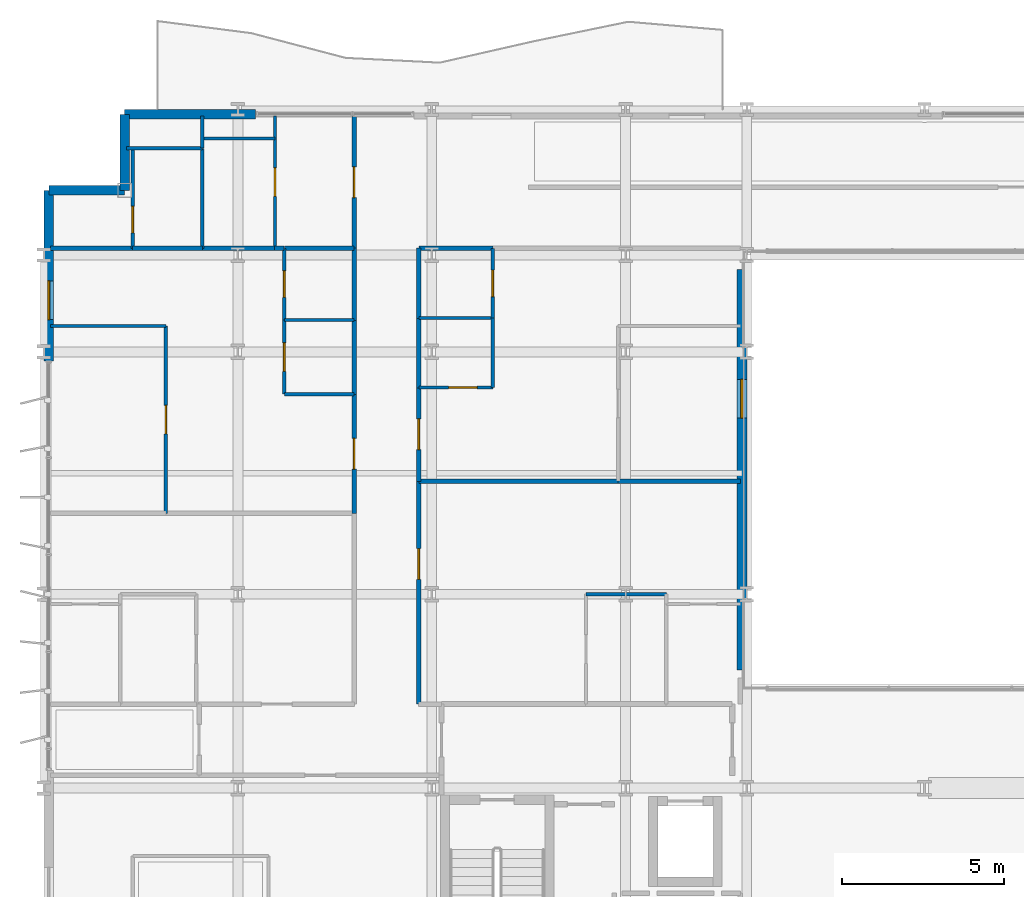
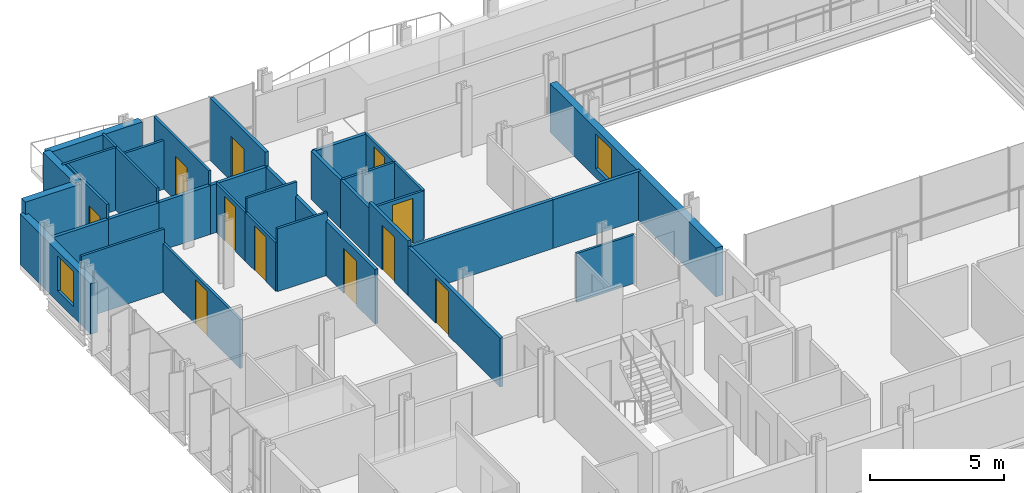
# One storey, part 29 of 38: 38 walls, 11 doors, 2 windows, 13 openings.
"""IFC4 building model written with IfcOpenShell, lengths in metres."""

from ifc_helpers import new_model, si_unit, direction, frame, frame_2d, origin, place, context, subcontext, project, spatial, rectangle, extrude, material, layer, layer_set, type_object, element, fill, save


model = new_model("IFC4")

# Units and contexts
model_context = context("Model", 3, precision=1e-05, world=origin(), true_north=direction((0.0, 1.0)))
body_context = subcontext(model_context, "Body", "Model", "MODEL_VIEW")
ifc_project = project(units=[si_unit("LENGTHUNIT", "METRE"), si_unit("AREAUNIT", "SQUARE_METRE"), si_unit("VOLUMEUNIT", "CUBIC_METRE"), si_unit("PLANEANGLEUNIT", "RADIAN"), si_unit("MASSUNIT", "GRAM", prefix="KILO")], contexts=[model_context])

# Site, building, storey
site_placement = place(None, origin())
site = spatial("IfcSite", under=ifc_project, at=site_placement, CompositionType="ELEMENT")
building_placement = place(site_placement, origin())
building = spatial("IfcBuilding", under=site, at=building_placement, Name="Brevholm Reach", CompositionType="ELEMENT")
storey_placement = place(building_placement, frame((0.0, 0.0, 52.800048828125)))
storey = spatial("IfcBuildingStorey", under=building, at=storey_placement, Name="L14", CompositionType="ELEMENT", Elevation=52.800048828125)

# Walls
ifc_material_1 = material(Name="Concrete C40/50", Category="concrete")
ifc_layer_1 = layer(ifc_material_1, 0.300048828125)
ifc_layer_set_1 = layer_set([ifc_layer_1], Name="Concrete C40/50")
wall_type_1 = type_object("IfcWallType", Name="WAL-EXT-300", PredefinedType="STANDARD", material=ifc_layer_set_1)
for number, where, z_axis, x_axis, name in (
    (1, (2.5, 30.85009765625, 0.0), (0.0, 0.0, 1.0), (0.0, -1.0, 0.0), "L14 Facade Wall WAL-L14-CNW1"),
    (2, (2.5, 28.5, 0.0), (0.0, 0.0, 1.0), (-1.0, 0.0, 0.0), "L14 Facade Wall WAL-L14-CNW2"),
):
    element("IfcWall", number, at=place(storey_placement, frame(where, z_axis=z_axis, x_axis=x_axis)), inside=storey, type_object=wall_type_1, Name=name, PredefinedType="STANDARD", context=body_context, shape_type="SweptSolid", body=[
        extrude(rectangle(XDim=2.35009765625, YDim=0.300048828125, at=frame_2d((1.175048828125, 0.0))), origin(), (0.0, 0.0, 1.0), 2.869873046875),
    ])

# Wall, opening, window
wall_1_placement = place(storey_placement, frame((0.14990234375, 28.5, 0.0), z_axis=(0.0, 0.0, 1.0), x_axis=(0.0, -1.0, 0.0)))
wall_1 = element("IfcWall", 3, at=wall_1_placement, inside=storey, type_object=wall_type_1, Name="L14 Facade Wall WAL-L14-W-N", PredefinedType="STANDARD", context=body_context, shape_type="SweptSolid", body=[
    extrude(rectangle(XDim=5.280029296875, YDim=0.300048828125, at=frame_2d((2.64013671875, 0.0))), origin(), (0.0, 0.0, 1.0), 2.305419921875),
])
opening_1_placement = place(wall_1_placement, frame((2.800048828125, 0.0, 0.486083984375)))
opening_1 = element("IfcOpeningElement", 4, at=opening_1_placement, cuts=wall_1, Name="Opening WN-08", PredefinedType="OPENING", context=body_context, shape_type="SweptSolid", body=[
    extrude(rectangle(XDim=1.199951171875, YDim=1.60009765625, at=frame_2d((0.60009765625, 0.800048828125))), frame((0.0, 0.159912109375, 0.0), z_axis=(0.0, -1.0, 0.0), x_axis=(1.0, 0.0, 0.0)), (0.0, 0.0, 1.0), 0.320068359375),
])
ifc_material_2 = material(Name="Dark Anodised Aluminium and Solar-Control IGU Glass", Category="aluminium")
window_type = type_object("IfcWindowType", Name="WIN-RES-1200", PartitioningType="SINGLE_PANEL", PredefinedType="WINDOW", material=ifc_material_2)
window_1_placement = place(opening_1_placement, origin())
window_1 = element("IfcWindow", 5, at=window_1_placement, inside=storey, type_object=window_type, Name="L14 Window WIN-L14-WN-1", OverallHeight=1.60009765625, OverallWidth=1.199951171875, PartitioningType="SINGLE_PANEL", PredefinedType="WINDOW", context=body_context, shape_type="SweptSolid", body=[
    extrude(rectangle(XDim=1.199951171875, YDim=1.60009765625, at=frame_2d((0.60009765625, 0.800048828125))), frame((0.0, 0.030029296875, 0.0), z_axis=(0.0, -1.0, 0.0), x_axis=(1.0, 0.0, 0.0)), (0.0, 0.0, 1.0), 0.06005859375),
])
fill(opening_1, window_1)

# Wall
wall_2_placement = place(storey_placement, frame((2.5, 30.85009765625, 0.0), z_axis=(0.0, 0.0, 1.0), x_axis=(1.0, 0.0, 0.0)))
element("IfcWall", 6, at=wall_2_placement, inside=storey, type_object=wall_type_1, Name="L14 Facade Wall WAL-L14-NP-W0", PredefinedType="STANDARD", context=body_context, shape_type="SweptSolid", body=[
    extrude(rectangle(XDim=4.050048828125, YDim=0.300048828125, at=frame_2d((2.02490234375, 0.0))), origin(), (0.0, 0.0, 1.0), 2.869873046875),
])

# Wall, opening, window
wall_3_placement = place(storey_placement, frame((21.60009765625, 26.050048828125, 0.0), z_axis=(0.0, 0.0, 1.0), x_axis=(0.0, -1.0, 0.0)))
wall_3 = element("IfcWall", 7, at=wall_3_placement, inside=storey, type_object=wall_type_1, Name="L14 Facade Wall WAL-L14-AT-W", PredefinedType="STANDARD", context=body_context, shape_type="SweptSolid", body=[
    extrude(rectangle(XDim=12.400146484375, YDim=0.300048828125, at=frame_2d((6.2001953125, 0.0))), origin(), (0.0, 0.0, 1.0), 2.224853515625),
])
opening_2_placement = place(wall_3_placement, frame((3.39990234375, 0.0, 0.405029296875)))
opening_2 = element("IfcOpeningElement", 8, at=opening_2_placement, cuts=wall_3, Name="Opening WN-08", PredefinedType="OPENING", context=body_context, shape_type="SweptSolid", body=[
    extrude(rectangle(XDim=1.199951171875, YDim=1.60009765625, at=frame_2d((0.60009765625, 0.800048828125))), frame((0.0, 0.159912109375, 0.0), z_axis=(0.0, -1.0, 0.0), x_axis=(1.0, 0.0, 0.0)), (0.0, 0.0, 1.0), 0.320068359375),
])
window_2_placement = place(opening_2_placement, origin())
window_2 = element("IfcWindow", 9, at=window_2_placement, inside=storey, type_object=window_type, Name="L14 Window WIN-L14-AT-W1", OverallHeight=1.60009765625, OverallWidth=1.199951171875, PartitioningType="SINGLE_PANEL", PredefinedType="WINDOW", context=body_context, shape_type="SweptSolid", body=[
    extrude(rectangle(XDim=1.199951171875, YDim=1.60009765625, at=frame_2d((0.60009765625, 0.800048828125))), frame((0.0, 0.030029296875, 0.0), z_axis=(0.0, -1.0, 0.0), x_axis=(1.0, 0.0, 0.0)), (0.0, 0.0, 1.0), 0.06005859375),
])
fill(opening_2, window_2)

# Wall
ifc_material_3 = material(Name="Moisture-Resistant Acoustic Gypsum Stud Partition 100 mm", Category="gypsum")
ifc_layer_2 = layer(ifc_material_3, 0.10009765625)
ifc_layer_set_2 = layer_set([ifc_layer_2], Name="Moisture-Resistant Acoustic Gypsum Stud Partition 100 mm")
wall_type_2 = type_object("IfcWallType", Name="WAL-PRT-100", PredefinedType="PARTITIONING", material=ifc_layer_set_2)
wall_4_placement = place(storey_placement, frame((7.43798828125, 24.486083984375, 0.0), z_axis=(0.0, 0.0, 1.0), x_axis=(1.0, 0.0, 0.0)))
element("IfcWall", 10, at=wall_4_placement, inside=storey, type_object=wall_type_2, Name="L14 Internal Partition 086", PredefinedType="PARTITIONING", context=body_context, shape_type="SweptSolid", body=[
    extrude(rectangle(XDim=2.157958984375, YDim=0.10009765625, at=frame_2d((1.0791015625, 0.0))), origin(), (0.0, 0.0, 1.0), 2.869873046875),
])

# Wall, opening, door
wall_5_placement = place(storey_placement, frame((7.43798828125, 24.486083984375, 0.0), z_axis=(0.0, 0.0, 1.0), x_axis=(0.0, 1.0, 0.0)))
wall_5 = element("IfcWall", 11, at=wall_5_placement, inside=storey, type_object=wall_type_2, Name="L14 Internal Partition 087", PredefinedType="PARTITIONING", context=body_context, shape_type="SweptSolid", body=[
    extrude(rectangle(XDim=2.2138671875, YDim=0.10009765625, at=frame_2d((1.10693359375, 0.0))), origin(), (0.0, 0.0, 1.0), 2.224853515625),
])
opening_3_placement = place(wall_5_placement, frame((0.697021484375, 0.0, 0.0)))
opening_3 = element("IfcOpeningElement", 12, at=opening_3_placement, cuts=wall_5, Name="Opening ID-03", PredefinedType="OPENING", context=body_context, shape_type="SweptSolid", body=[
    extrude(rectangle(XDim=0.820068359375, YDim=2.02001953125, at=frame_2d((0.41015625, 1.010009765625))), frame((0.0, 0.06005859375, 0.0), z_axis=(0.0, -1.0, 0.0), x_axis=(1.0, 0.0, 0.0)), (0.0, 0.0, 1.0), 0.1201171875),
])
ifc_material_4 = material(Name="Moisture-Resistant Painted Timber Internal Bathroom Door", Category="wood")
door_type_1 = type_object("IfcDoorType", Name="DOR-BATH-820", OperationType="NOTDEFINED", PredefinedType="DOOR", material=ifc_material_4)
door_1_placement = place(opening_3_placement, origin())
door_1 = element("IfcDoor", 13, at=door_1_placement, inside=storey, type_object=door_type_1, Name="L14 Internal Door 035", OperationType="SINGLE_SWING_LEFT", OverallHeight=2.02001953125, OverallWidth=0.820068359375, PredefinedType="DOOR", context=body_context, shape_type="SweptSolid", body=[
    extrude(rectangle(XDim=0.820068359375, YDim=2.02001953125, at=frame_2d((0.41015625, 1.010009765625))), frame((0.0, 0.02490234375, 0.0), z_axis=(0.0, -1.0, 0.0), x_axis=(1.0, 0.0, 0.0)), (0.0, 0.0, 1.0), 0.050048828125),
])
fill(opening_3, door_1)

# Wall
wall_6_placement = place(storey_placement, frame((7.43798828125, 22.18994140625, 0.0), z_axis=(0.0, 0.0, 1.0), x_axis=(1.0, 0.0, 0.0)))
element("IfcWall", 14, at=wall_6_placement, inside=storey, type_object=wall_type_2, Name="L14 Internal Partition 089", PredefinedType="PARTITIONING", context=body_context, shape_type="SweptSolid", body=[
    extrude(rectangle(XDim=2.157958984375, YDim=0.10009765625, at=frame_2d((1.0791015625, 0.0))), origin(), (0.0, 0.0, 1.0), 2.869873046875),
])

# Wall, opening, door
wall_7_placement = place(storey_placement, frame((7.43798828125, 22.18994140625, 0.0), z_axis=(0.0, 0.0, 1.0), x_axis=(0.0, 1.0, 0.0)))
wall_7 = element("IfcWall", 15, at=wall_7_placement, inside=storey, type_object=wall_type_2, Name="L14 Internal Partition 090", PredefinedType="PARTITIONING", context=body_context, shape_type="SweptSolid", body=[
    extrude(rectangle(XDim=2.2919921875, YDim=0.10009765625, at=frame_2d((1.14599609375, 0.0))), origin(), (0.0, 0.0, 1.0), 2.224853515625),
])
opening_4_placement = place(wall_7_placement, frame((0.7060546875, 0.0, 0.0)))
opening_4 = element("IfcOpeningElement", 16, at=opening_4_placement, cuts=wall_7, Name="Opening ID-01", PredefinedType="OPENING", context=body_context, shape_type="SweptSolid", body=[
    extrude(rectangle(XDim=0.8798828125, YDim=2.0400390625, at=frame_2d((0.43994140625, 1.02001953125))), frame((0.0, 0.06005859375, 0.0), z_axis=(0.0, -1.0, 0.0), x_axis=(1.0, 0.0, 0.0)), (0.0, 0.0, 1.0), 0.1201171875),
])
ifc_material_5 = material(Name="Lacquered Ash Solid-Core Acoustic Internal Door", Category="timber")
door_type_2 = type_object("IfcDoorType", Name="DOR-INT-880", OperationType="NOTDEFINED", PredefinedType="DOOR", material=ifc_material_5)
door_2_placement = place(opening_4_placement, origin())
door_2 = element("IfcDoor", 17, at=door_2_placement, inside=storey, type_object=door_type_2, Name="L14 Internal Door 036", OperationType="SINGLE_SWING_RIGHT", OverallHeight=2.0400390625, OverallWidth=0.8798828125, PredefinedType="DOOR", context=body_context, shape_type="SweptSolid", body=[
    extrude(rectangle(XDim=0.8798828125, YDim=2.0400390625, at=frame_2d((0.43994140625, 1.02001953125))), frame((0.0, 0.02490234375, 0.0), z_axis=(0.0, -1.0, 0.0), x_axis=(1.0, 0.0, 0.0)), (0.0, 0.0, 1.0), 0.050048828125),
])
fill(opening_4, door_2)

wall_8_placement = place(storey_placement, frame((3.77197265625, 18.50390625, 0.0), z_axis=(0.0, 0.0, 1.0), x_axis=(0.0, 1.0, 0.0)))
wall_8 = element("IfcWall", 18, at=wall_8_placement, inside=storey, type_object=wall_type_2, Name="L14 Internal Partition 091", PredefinedType="PARTITIONING", context=body_context, shape_type="SweptSolid", body=[
    extrude(rectangle(XDim=5.796142578125, YDim=0.10009765625, at=frame_2d((2.89794921875, 0.0))), origin(), (0.0, 0.0, 1.0), 2.224853515625),
])
opening_5_placement = place(wall_8_placement, frame((2.4580078125, 0.0, 0.0)))
opening_5 = element("IfcOpeningElement", 19, at=opening_5_placement, cuts=wall_8, Name="Opening ID-01", PredefinedType="OPENING", context=body_context, shape_type="SweptSolid", body=[
    extrude(rectangle(XDim=0.8798828125, YDim=2.0400390625, at=frame_2d((0.43994140625, 1.02001953125))), frame((0.0, 0.06005859375, 0.0), z_axis=(0.0, -1.0, 0.0), x_axis=(1.0, 0.0, 0.0)), (0.0, 0.0, 1.0), 0.1201171875),
])
door_3_placement = place(opening_5_placement, origin())
door_3 = element("IfcDoor", 20, at=door_3_placement, inside=storey, type_object=door_type_2, Name="L14 Internal Door 037", OperationType="SINGLE_SWING_LEFT", OverallHeight=2.0400390625, OverallWidth=0.8798828125, PredefinedType="DOOR", context=body_context, shape_type="SweptSolid", body=[
    extrude(rectangle(XDim=0.8798828125, YDim=2.0400390625, at=frame_2d((0.43994140625, 1.02001953125))), frame((0.0, 0.02490234375, 0.0), z_axis=(0.0, -1.0, 0.0), x_axis=(1.0, 0.0, 0.0)), (0.0, 0.0, 1.0), 0.050048828125),
])
fill(opening_5, door_3)

# Walls
wall_9_placement = place(storey_placement, frame((0.199951171875, 24.300048828125, 0.0), z_axis=(0.0, 0.0, 1.0), x_axis=(1.0, 0.0, 0.0)))
element("IfcWall", 21, at=wall_9_placement, inside=storey, type_object=wall_type_2, Name="L14 Internal Partition 092", PredefinedType="PARTITIONING", context=body_context, shape_type="SweptSolid", body=[
    extrude(rectangle(XDim=3.572021484375, YDim=0.10009765625, at=frame_2d((1.7861328125, 0.0))), origin(), (0.0, 0.0, 1.0), 2.869873046875),
])
wall_10_placement = place(storey_placement, frame((16.77294921875, 16.0, 0.0), z_axis=(0.0, 0.0, 1.0), x_axis=(1.0, 0.0, 0.0)))
element("IfcWall", 22, at=wall_10_placement, inside=storey, type_object=wall_type_2, Name="L14 Internal Partition 100", PredefinedType="PARTITIONING", context=body_context, shape_type="SweptSolid", body=[
    extrude(rectangle(XDim=2.488037109375, YDim=0.10009765625, at=frame_2d((1.244140625, 0.0))), origin(), (0.0, 0.0, 1.0), 2.224853515625),
])
wall_11_placement = place(storey_placement, frame((11.60400390625, 24.550048828125, 0.0), z_axis=(0.0, 0.0, 1.0), x_axis=(1.0, 0.0, 0.0)))
element("IfcWall", 23, at=wall_11_placement, inside=storey, type_object=wall_type_2, Name="L14 Internal Partition 104", PredefinedType="PARTITIONING", context=body_context, shape_type="SweptSolid", body=[
    extrude(rectangle(XDim=2.284912109375, YDim=0.10009765625, at=frame_2d((1.142578125, 0.0))), origin(), (0.0, 0.0, 1.0), 2.224853515625),
])

# Wall, opening, door
wall_12_placement = place(storey_placement, frame((13.888916015625, 24.550048828125, 0.0), z_axis=(0.0, 0.0, 1.0), x_axis=(0.0, 1.0, 0.0)))
wall_12 = element("IfcWall", 24, at=wall_12_placement, inside=storey, type_object=wall_type_2, Name="L14 Internal Partition 105", PredefinedType="PARTITIONING", context=body_context, shape_type="SweptSolid", body=[
    extrude(rectangle(XDim=2.14599609375, YDim=0.10009765625, at=frame_2d((1.072998046875, 0.0))), origin(), (0.0, 0.0, 1.0), 2.224853515625),
])
opening_6_placement = place(wall_12_placement, frame((0.6630859375, 0.0, 0.0)))
opening_6 = element("IfcOpeningElement", 25, at=opening_6_placement, cuts=wall_12, Name="Opening ID-03", PredefinedType="OPENING", context=body_context, shape_type="SweptSolid", body=[
    extrude(rectangle(XDim=0.820068359375, YDim=2.02001953125, at=frame_2d((0.41015625, 1.010009765625))), frame((0.0, 0.06005859375, 0.0), z_axis=(0.0, -1.0, 0.0), x_axis=(1.0, 0.0, 0.0)), (0.0, 0.0, 1.0), 0.1201171875),
])
door_4_placement = place(opening_6_placement, origin())
door_4 = element("IfcDoor", 26, at=door_4_placement, inside=storey, type_object=door_type_1, Name="L14 Internal Door 040", OperationType="SINGLE_SWING_RIGHT", OverallHeight=2.02001953125, OverallWidth=0.820068359375, PredefinedType="DOOR", context=body_context, shape_type="SweptSolid", body=[
    extrude(rectangle(XDim=0.820068359375, YDim=2.02001953125, at=frame_2d((0.41015625, 1.010009765625))), frame((0.0, 0.02490234375, 0.0), z_axis=(0.0, -1.0, 0.0), x_axis=(1.0, 0.0, 0.0)), (0.0, 0.0, 1.0), 0.050048828125),
])
fill(opening_6, door_4)

wall_13_placement = place(storey_placement, frame((11.60400390625, 22.39990234375, 0.0), z_axis=(0.0, 0.0, 1.0), x_axis=(1.0, 0.0, 0.0)))
wall_13 = element("IfcWall", 27, at=wall_13_placement, inside=storey, type_object=wall_type_2, Name="L14 Internal Partition 106", PredefinedType="PARTITIONING", context=body_context, shape_type="SweptSolid", body=[
    extrude(rectangle(XDim=2.284912109375, YDim=0.10009765625, at=frame_2d((1.142578125, 0.0))), origin(), (0.0, 0.0, 1.0), 2.224853515625),
])
opening_7_placement = place(wall_13_placement, frame((0.922607421875, 0.0, 0.0)))
opening_7 = element("IfcOpeningElement", 28, at=opening_7_placement, cuts=wall_13, Name="Opening ID-01", PredefinedType="OPENING", context=body_context, shape_type="SweptSolid", body=[
    extrude(rectangle(XDim=0.8798828125, YDim=2.0400390625, at=frame_2d((0.43994140625, 1.02001953125))), frame((0.0, 0.06005859375, 0.0), z_axis=(0.0, -1.0, 0.0), x_axis=(1.0, 0.0, 0.0)), (0.0, 0.0, 1.0), 0.1201171875),
])
door_5_placement = place(opening_7_placement, origin())
door_5 = element("IfcDoor", 29, at=door_5_placement, inside=storey, type_object=door_type_2, Name="L14 Internal Door 041", OperationType="SINGLE_SWING_LEFT", OverallHeight=2.0400390625, OverallWidth=0.8798828125, PredefinedType="DOOR", context=body_context, shape_type="SweptSolid", body=[
    extrude(rectangle(XDim=0.8798828125, YDim=2.0400390625, at=frame_2d((0.43994140625, 1.02001953125))), frame((0.0, 0.02490234375, 0.0), z_axis=(0.0, -1.0, 0.0), x_axis=(1.0, 0.0, 0.0)), (0.0, 0.0, 1.0), 0.050048828125),
])
fill(opening_7, door_5)

# Walls
wall_14_placement = place(storey_placement, frame((13.888916015625, 22.39990234375, 0.0), z_axis=(0.0, 0.0, 1.0), x_axis=(0.0, 1.0, 0.0)))
element("IfcWall", 30, at=wall_14_placement, inside=storey, type_object=wall_type_2, Name="L14 Internal Partition 107", PredefinedType="PARTITIONING", context=body_context, shape_type="SweptSolid", body=[
    extrude(rectangle(XDim=2.14599609375, YDim=0.10009765625, at=frame_2d((1.072998046875, 0.0))), origin(), (0.0, 0.0, 1.0), 2.224853515625),
])
wall_15_placement = place(storey_placement, frame((4.89990234375, 26.7041015625, 0.0), z_axis=(0.0, 0.0, 1.0), x_axis=(0.0, 1.0, 0.0)))
element("IfcWall", 31, at=wall_15_placement, inside=storey, type_object=wall_type_2, Name="L14 Internal Partition 142", PredefinedType="PARTITIONING", context=body_context, shape_type="SweptSolid", body=[
    extrude(rectangle(XDim=3.095947265625, YDim=0.10009765625, at=frame_2d((1.5478515625, 0.0))), origin(), (0.0, 0.0, 1.0), 2.869873046875),
])
wall_16_placement = place(storey_placement, frame((2.550048828125, 29.800048828125, 0.0), z_axis=(0.0, 0.0, 1.0), x_axis=(1.0, 0.0, 0.0)))
element("IfcWall", 32, at=wall_16_placement, inside=storey, type_object=wall_type_2, Name="L14 Internal Partition 143", PredefinedType="PARTITIONING", context=body_context, shape_type="SweptSolid", body=[
    extrude(rectangle(XDim=2.349853515625, YDim=0.10009765625, at=frame_2d((1.1748046875, 0.0))), origin(), (0.0, 0.0, 1.0), 2.869873046875),
])

# Wall, opening, door
wall_17_placement = place(storey_placement, frame((2.75, 26.7041015625, 0.0), z_axis=(0.0, 0.0, 1.0), x_axis=(0.0, 1.0, 0.0)))
wall_17 = element("IfcWall", 33, at=wall_17_placement, inside=storey, type_object=wall_type_2, Name="L14 Internal Partition 144", PredefinedType="PARTITIONING", context=body_context, shape_type="SweptSolid", body=[
    extrude(rectangle(XDim=3.095947265625, YDim=0.10009765625, at=frame_2d((1.5478515625, 0.0))), origin(), (0.0, 0.0, 1.0), 2.869873046875),
])
opening_8_placement = place(wall_17_placement, frame((0.47802734375, 0.0, 0.0)))
opening_8 = element("IfcOpeningElement", 34, at=opening_8_placement, cuts=wall_17, Name="Opening ID-03", PredefinedType="OPENING", context=body_context, shape_type="SweptSolid", body=[
    extrude(rectangle(XDim=0.820068359375, YDim=2.02001953125, at=frame_2d((0.41015625, 1.010009765625))), frame((0.0, 0.06005859375, 0.0), z_axis=(0.0, -1.0, 0.0), x_axis=(1.0, 0.0, 0.0)), (0.0, 0.0, 1.0), 0.1201171875),
])
door_6_placement = place(opening_8_placement, origin())
door_6 = element("IfcDoor", 35, at=door_6_placement, inside=storey, type_object=door_type_1, Name="L14 Internal Door 053", OperationType="SINGLE_SWING_LEFT", OverallHeight=2.02001953125, OverallWidth=0.820068359375, PredefinedType="DOOR", context=body_context, shape_type="SweptSolid", body=[
    extrude(rectangle(XDim=0.820068359375, YDim=2.02001953125, at=frame_2d((0.41015625, 1.010009765625))), frame((0.0, 0.02490234375, 0.0), z_axis=(0.0, -1.0, 0.0), x_axis=(1.0, 0.0, 0.0)), (0.0, 0.0, 1.0), 0.050048828125),
])
fill(opening_8, door_6)

wall_18_placement = place(storey_placement, frame((7.14990234375, 26.7041015625, 0.0), z_axis=(0.0, 0.0, 1.0), x_axis=(0.0, 1.0, 0.0)))
wall_18 = element("IfcWall", 36, at=wall_18_placement, inside=storey, type_object=wall_type_2, Name="L14 Internal Partition 145", PredefinedType="PARTITIONING", context=body_context, shape_type="SweptSolid", body=[
    extrude(rectangle(XDim=4.095947265625, YDim=0.10009765625, at=frame_2d((2.0478515625, 0.0))), origin(), (0.0, 0.0, 1.0), 2.869873046875),
])
opening_9_placement = place(wall_18_placement, frame((1.60791015625, 0.0, 0.0)))
opening_9 = element("IfcOpeningElement", 37, at=opening_9_placement, cuts=wall_18, Name="Opening ID-01", PredefinedType="OPENING", context=body_context, shape_type="SweptSolid", body=[
    extrude(rectangle(XDim=0.8798828125, YDim=2.0400390625, at=frame_2d((0.43994140625, 1.02001953125))), frame((0.0, 0.06005859375, 0.0), z_axis=(0.0, -1.0, 0.0), x_axis=(1.0, 0.0, 0.0)), (0.0, 0.0, 1.0), 0.1201171875),
])
door_7_placement = place(opening_9_placement, origin())
door_7 = element("IfcDoor", 38, at=door_7_placement, inside=storey, type_object=door_type_2, Name="L14 Internal Door 054", OperationType="SINGLE_SWING_RIGHT", OverallHeight=2.0400390625, OverallWidth=0.8798828125, PredefinedType="DOOR", context=body_context, shape_type="SweptSolid", body=[
    extrude(rectangle(XDim=0.8798828125, YDim=2.0400390625, at=frame_2d((0.43994140625, 1.02001953125))), frame((0.0, 0.02490234375, 0.0), z_axis=(0.0, -1.0, 0.0), x_axis=(1.0, 0.0, 0.0)), (0.0, 0.0, 1.0), 0.050048828125),
])
fill(opening_9, door_7)

# Walls
wall_19_placement = place(storey_placement, frame((4.89990234375, 30.10009765625, 0.0), z_axis=(0.0, 0.0, 1.0), x_axis=(1.0, 0.0, 0.0)))
element("IfcWall", 39, at=wall_19_placement, inside=storey, type_object=wall_type_2, Name="L14 Internal Partition 146", PredefinedType="PARTITIONING", context=body_context, shape_type="SweptSolid", body=[
    extrude(rectangle(XDim=2.25, YDim=0.10009765625, at=frame_2d((1.125, 0.0))), origin(), (0.0, 0.0, 1.0), 2.224853515625),
])
wall_20_placement = place(storey_placement, frame((4.89990234375, 29.803955078125, 0.0), z_axis=(0.0, 0.0, 1.0), x_axis=(0.0, 1.0, 0.0)))
element("IfcWall", 40, at=wall_20_placement, inside=storey, type_object=wall_type_2, Name="L14 Internal Partition 147", PredefinedType="PARTITIONING", context=body_context, shape_type="SweptSolid", body=[
    extrude(rectangle(XDim=0.99609375, YDim=0.10009765625, at=frame_2d((0.498046875, 0.0))), origin(), (0.0, 0.0, 1.0), 2.869873046875),
])
ifc_material_6 = material(Name="Twin-Stud Acoustic Fire-Rated Gypsum Partition 140 mm", Category="gypsum")
ifc_layer_3 = layer(ifc_material_6, 0.139892578125)
ifc_layer_set_3 = layer_set([ifc_layer_3], Name="Twin-Stud Acoustic Fire-Rated Gypsum Partition 140 mm")
wall_type_3 = type_object("IfcWallType", Name="WAL-PRT-140", PredefinedType="PARTITIONING", material=ifc_layer_set_3)
wall_21_placement = place(storey_placement, frame((9.60009765625, 24.474609375, 0.0), z_axis=(0.0, 0.0, 1.0), x_axis=(0.0, 1.0, 0.0)))
element("IfcWall", 41, at=wall_21_placement, inside=storey, type_object=wall_type_3, Name="L14 Internal Partition 035", PredefinedType="PARTITIONING", context=body_context, shape_type="SweptSolid", body=[
    extrude(rectangle(XDim=2.236572265625, YDim=0.139892578125, at=frame_2d((1.1181640625, 0.0))), origin(), (0.0, 0.0, 1.0), 2.224853515625),
])
wall_22_placement = place(storey_placement, frame((9.60009765625, 22.1787109375, 0.0), z_axis=(0.0, 0.0, 1.0), x_axis=(0.0, 1.0, 0.0)))
element("IfcWall", 42, at=wall_22_placement, inside=storey, type_object=wall_type_3, Name="L14 Internal Partition 036", PredefinedType="PARTITIONING", context=body_context, shape_type="SweptSolid", body=[
    extrude(rectangle(XDim=2.314697265625, YDim=0.139892578125, at=frame_2d((1.1572265625, 0.0))), origin(), (0.0, 0.0, 1.0), 2.224853515625),
])

# Wall, opening, door
wall_23_placement = place(storey_placement, frame((9.60009765625, 18.49267578125, 0.0), z_axis=(0.0, 0.0, 1.0), x_axis=(0.0, 1.0, 0.0)))
wall_23 = element("IfcWall", 43, at=wall_23_placement, inside=storey, type_object=wall_type_3, Name="L14 Internal Partition 037", PredefinedType="PARTITIONING", context=body_context, shape_type="SweptSolid", body=[
    extrude(rectangle(XDim=3.70458984375, YDim=0.139892578125, at=frame_2d((1.852294921875, 0.0))), origin(), (0.0, 0.0, 1.0), 2.489990234375),
])
opening_10_placement = place(wall_23_placement, frame((1.377197265625, 0.0, 0.0)))
opening_10 = element("IfcOpeningElement", 44, at=opening_10_placement, cuts=wall_23, Name="Opening ID-30", PredefinedType="OPENING", context=body_context, shape_type="SweptSolid", body=[
    extrude(rectangle(XDim=0.949951171875, YDim=2.050048828125, at=frame_2d((0.47509765625, 1.02490234375))), frame((0.0, 0.079833984375, 0.0), z_axis=(0.0, -1.0, 0.0), x_axis=(1.0, 0.0, 0.0)), (0.0, 0.0, 1.0), 0.159912109375),
])
ifc_material_7 = material(Name="European Oak Veneered Solid-Core Fire Entrance Door", Category="timber")
door_type_3 = type_object("IfcDoorType", Name="DOR-FLT-FD30S", OperationType="NOTDEFINED", PredefinedType="DOOR", material=ifc_material_7)
door_8_placement = place(opening_10_placement, origin())
door_8 = element("IfcDoor", 45, at=door_8_placement, inside=storey, type_object=door_type_3, Name="L14 Internal Door 018", OperationType="SINGLE_SWING_RIGHT", OverallHeight=2.050048828125, OverallWidth=0.949951171875, PredefinedType="DOOR", context=body_context, shape_type="SweptSolid", body=[
    extrude(rectangle(XDim=0.949951171875, YDim=2.050048828125, at=frame_2d((0.47509765625, 1.02490234375))), frame((0.0, 0.02490234375, 0.0), z_axis=(0.0, -1.0, 0.0), x_axis=(1.0, 0.0, 0.0)), (0.0, 0.0, 1.0), 0.050048828125),
])
fill(opening_10, door_8)

wall_24_placement = place(storey_placement, frame((11.60009765625, 12.60400390625, 0.0), z_axis=(0.0, 0.0, 1.0), x_axis=(0.0, 1.0, 0.0)))
wall_24 = element("IfcWall", 46, at=wall_24_placement, inside=storey, type_object=wall_type_3, Name="L14 Internal Partition 038", PredefinedType="PARTITIONING", context=body_context, shape_type="SweptSolid", body=[
    extrude(rectangle(XDim=6.9072265625, YDim=0.139892578125, at=frame_2d((3.45361328125, 0.0))), origin(), (0.0, 0.0, 1.0), 2.224853515625),
])
opening_11_placement = place(wall_24_placement, frame((3.858642578125, 0.0, 0.0)))
opening_11 = element("IfcOpeningElement", 47, at=opening_11_placement, cuts=wall_24, Name="Opening ID-30", PredefinedType="OPENING", context=body_context, shape_type="SweptSolid", body=[
    extrude(rectangle(XDim=0.949951171875, YDim=2.050048828125, at=frame_2d((0.47509765625, 1.02490234375))), frame((0.0, 0.079833984375, 0.0), z_axis=(0.0, -1.0, 0.0), x_axis=(1.0, 0.0, 0.0)), (0.0, 0.0, 1.0), 0.159912109375),
])
door_9_placement = place(opening_11_placement, origin())
door_9 = element("IfcDoor", 48, at=door_9_placement, inside=storey, type_object=door_type_3, Name="L14 Internal Door 019", OperationType="SINGLE_SWING_LEFT", OverallHeight=2.050048828125, OverallWidth=0.949951171875, PredefinedType="DOOR", context=body_context, shape_type="SweptSolid", body=[
    extrude(rectangle(XDim=0.949951171875, YDim=2.050048828125, at=frame_2d((0.47509765625, 1.02490234375))), frame((0.0, 0.02490234375, 0.0), z_axis=(0.0, -1.0, 0.0), x_axis=(1.0, 0.0, 0.0)), (0.0, 0.0, 1.0), 0.050048828125),
])
fill(opening_11, door_9)

# Walls
wall_25_placement = place(storey_placement, frame((11.60009765625, 24.538818359375, 0.0), z_axis=(0.0, 0.0, 1.0), x_axis=(0.0, 1.0, 0.0)))
element("IfcWall", 49, at=wall_25_placement, inside=storey, type_object=wall_type_3, Name="L14 Internal Partition 039", PredefinedType="PARTITIONING", context=body_context, shape_type="SweptSolid", body=[
    extrude(rectangle(XDim=2.16845703125, YDim=0.139892578125, at=frame_2d((1.084228515625, 0.0))), origin(), (0.0, 0.0, 1.0), 2.224853515625),
])
wall_26_placement = place(storey_placement, frame((11.60009765625, 22.388671875, 0.0), z_axis=(0.0, 0.0, 1.0), x_axis=(0.0, 1.0, 0.0)))
element("IfcWall", 50, at=wall_26_placement, inside=storey, type_object=wall_type_3, Name="L14 Internal Partition 040", PredefinedType="PARTITIONING", context=body_context, shape_type="SweptSolid", body=[
    extrude(rectangle(XDim=2.168701171875, YDim=0.139892578125, at=frame_2d((1.08447265625, 0.0))), origin(), (0.0, 0.0, 1.0), 2.224853515625),
])

# Wall, opening, door
wall_27_placement = place(storey_placement, frame((11.60009765625, 19.49267578125, 0.0), z_axis=(0.0, 0.0, 1.0), x_axis=(0.0, 1.0, 0.0)))
wall_27 = element("IfcWall", 51, at=wall_27_placement, inside=storey, type_object=wall_type_3, Name="L14 Internal Partition 041", PredefinedType="PARTITIONING", context=body_context, shape_type="SweptSolid", body=[
    extrude(rectangle(XDim=2.91455078125, YDim=0.139892578125, at=frame_2d((1.457275390625, 0.0))), origin(), (0.0, 0.0, 1.0), 2.489990234375),
])
opening_12_placement = place(wall_27_placement, frame((0.982421875, 0.0, 0.0)))
opening_12 = element("IfcOpeningElement", 52, at=opening_12_placement, cuts=wall_27, Name="Opening ID-30", PredefinedType="OPENING", context=body_context, shape_type="SweptSolid", body=[
    extrude(rectangle(XDim=0.949951171875, YDim=2.050048828125, at=frame_2d((0.47509765625, 1.02490234375))), frame((0.0, 0.079833984375, 0.0), z_axis=(0.0, -1.0, 0.0), x_axis=(1.0, 0.0, 0.0)), (0.0, 0.0, 1.0), 0.159912109375),
])
door_10_placement = place(opening_12_placement, origin())
door_10 = element("IfcDoor", 53, at=door_10_placement, inside=storey, type_object=door_type_3, Name="L14 Internal Door 020", OperationType="SINGLE_SWING_RIGHT", OverallHeight=2.050048828125, OverallWidth=0.949951171875, PredefinedType="DOOR", context=body_context, shape_type="SweptSolid", body=[
    extrude(rectangle(XDim=0.949951171875, YDim=2.050048828125, at=frame_2d((0.47509765625, 1.02490234375))), frame((0.0, 0.02490234375, 0.0), z_axis=(0.0, -1.0, 0.0), x_axis=(1.0, 0.0, 0.0)), (0.0, 0.0, 1.0), 0.050048828125),
])
fill(opening_12, door_10)

wall_28_placement = place(storey_placement, frame((9.60009765625, 26.692626953125, 0.0), z_axis=(0.0, 0.0, 1.0), x_axis=(0.0, 1.0, 0.0)))
wall_28 = element("IfcWall", 54, at=wall_28_placement, inside=storey, type_object=wall_type_3, Name="L14 Internal Partition 042", PredefinedType="PARTITIONING", context=body_context, shape_type="SweptSolid", body=[
    extrude(rectangle(XDim=4.107421875, YDim=0.139892578125, at=frame_2d((2.0537109375, 0.0))), origin(), (0.0, 0.0, 1.0), 2.869873046875),
])
opening_13_placement = place(wall_28_placement, frame((1.57861328125, 0.0, 0.0)))
opening_13 = element("IfcOpeningElement", 55, at=opening_13_placement, cuts=wall_28, Name="Opening ID-30", PredefinedType="OPENING", context=body_context, shape_type="SweptSolid", body=[
    extrude(rectangle(XDim=0.949951171875, YDim=2.050048828125, at=frame_2d((0.47509765625, 1.02490234375))), frame((0.0, 0.079833984375, 0.0), z_axis=(0.0, -1.0, 0.0), x_axis=(1.0, 0.0, 0.0)), (0.0, 0.0, 1.0), 0.159912109375),
])
door_11_placement = place(opening_13_placement, origin())
door_11 = element("IfcDoor", 56, at=door_11_placement, inside=storey, type_object=door_type_3, Name="L14 Internal Door 021", OperationType="SINGLE_SWING_LEFT", OverallHeight=2.050048828125, OverallWidth=0.949951171875, PredefinedType="DOOR", context=body_context, shape_type="SweptSolid", body=[
    extrude(rectangle(XDim=0.949951171875, YDim=2.050048828125, at=frame_2d((0.47509765625, 1.02490234375))), frame((0.0, 0.02490234375, 0.0), z_axis=(0.0, -1.0, 0.0), x_axis=(1.0, 0.0, 0.0)), (0.0, 0.0, 1.0), 0.050048828125),
])
fill(opening_13, door_11)

# Walls
wall_29_placement = place(storey_placement, frame((11.60400390625, 26.699951171875, 0.0), z_axis=(0.0, 0.0, 1.0), x_axis=(1.0, 0.0, 0.0)))
element("IfcWall", 57, at=wall_29_placement, inside=storey, type_object=wall_type_3, Name="L14 Internal Partition 052", PredefinedType="PARTITIONING", context=body_context, shape_type="SweptSolid", body=[
    extrude(rectangle(XDim=2.29638671875, YDim=0.139892578125, at=frame_2d((1.148193359375, 0.0))), origin(), (0.0, 0.0, 1.0), 2.224853515625),
])
wall_30_placement = place(storey_placement, frame((7.43798828125, 26.699951171875, 0.0), z_axis=(0.0, 0.0, 1.0), x_axis=(1.0, 0.0, 0.0)))
element("IfcWall", 58, at=wall_30_placement, inside=storey, type_object=wall_type_3, Name="L14 Internal Partition 088", PredefinedType="PARTITIONING", context=body_context, shape_type="SweptSolid", body=[
    extrude(rectangle(XDim=2.157958984375, YDim=0.139892578125, at=frame_2d((1.0791015625, 0.0))), origin(), (0.0, 0.0, 1.0), 2.224853515625),
])
wall_31_placement = place(storey_placement, frame((2.73876953125, 26.699951171875, 0.0), z_axis=(0.0, 0.0, 1.0), x_axis=(1.0, 0.0, 0.0)))
element("IfcWall", 59, at=wall_31_placement, inside=storey, type_object=wall_type_3, Name="L14 Internal Partition 093", PredefinedType="PARTITIONING", context=body_context, shape_type="SweptSolid", body=[
    extrude(rectangle(XDim=2.172607421875, YDim=0.139892578125, at=frame_2d((1.08642578125, 0.0))), origin(), (0.0, 0.0, 1.0), 2.224853515625),
])
wall_32_placement = place(storey_placement, frame((4.892578125, 26.699951171875, 0.0), z_axis=(0.0, 0.0, 1.0), x_axis=(1.0, 0.0, 0.0)))
element("IfcWall", 60, at=wall_32_placement, inside=storey, type_object=wall_type_3, Name="L14 Internal Partition 094", PredefinedType="PARTITIONING", context=body_context, shape_type="SweptSolid", body=[
    extrude(rectangle(XDim=2.268798828125, YDim=0.139892578125, at=frame_2d((1.13427734375, 0.0))), origin(), (0.0, 0.0, 1.0), 2.224853515625),
])
wall_33_placement = place(storey_placement, frame((7.142578125, 26.699951171875, 0.0), z_axis=(0.0, 0.0, 1.0), x_axis=(1.0, 0.0, 0.0)))
element("IfcWall", 61, at=wall_33_placement, inside=storey, type_object=wall_type_3, Name="L14 Internal Partition 095", PredefinedType="PARTITIONING", context=body_context, shape_type="SweptSolid", body=[
    extrude(rectangle(XDim=0.29150390625, YDim=0.139892578125, at=frame_2d((0.145751953125, 0.0))), origin(), (0.0, 0.0, 1.0), 2.224853515625),
])
wall_34_placement = place(storey_placement, frame((0.199951171875, 26.699951171875, 0.0), z_axis=(0.0, 0.0, 1.0), x_axis=(1.0, 0.0, 0.0)))
element("IfcWall", 62, at=wall_34_placement, inside=storey, type_object=wall_type_3, Name="L14 Internal Partition 096", PredefinedType="PARTITIONING", context=body_context, shape_type="SweptSolid", body=[
    extrude(rectangle(XDim=2.557373046875, YDim=0.139892578125, at=frame_2d((1.27880859375, 0.0))), origin(), (0.0, 0.0, 1.0), 2.224853515625),
])
wall_35_placement = place(storey_placement, frame((17.7578125, 19.5, 0.0), z_axis=(0.0, 0.0, 1.0), x_axis=(1.0, 0.0, 0.0)))
element("IfcWall", 63, at=wall_35_placement, inside=storey, type_object=wall_type_3, Name="L14 Internal Partition 102", PredefinedType="PARTITIONING", context=body_context, shape_type="SweptSolid", body=[
    extrude(rectangle(XDim=3.792236328125, YDim=0.139892578125, at=frame_2d((1.89599609375, 0.0))), origin(), (0.0, 0.0, 1.0), 2.224853515625),
])
wall_36_placement = place(storey_placement, frame((11.60400390625, 19.5, 0.0), z_axis=(0.0, 0.0, 1.0), x_axis=(1.0, 0.0, 0.0)))
element("IfcWall", 64, at=wall_36_placement, inside=storey, type_object=wall_type_3, Name="L14 Internal Partition 103", PredefinedType="PARTITIONING", context=body_context, shape_type="SweptSolid", body=[
    extrude(rectangle(XDim=6.17236328125, YDim=0.139892578125, at=frame_2d((3.086181640625, 0.0))), origin(), (0.0, 0.0, 1.0), 2.224853515625),
])

save(model, "model.ifc")
